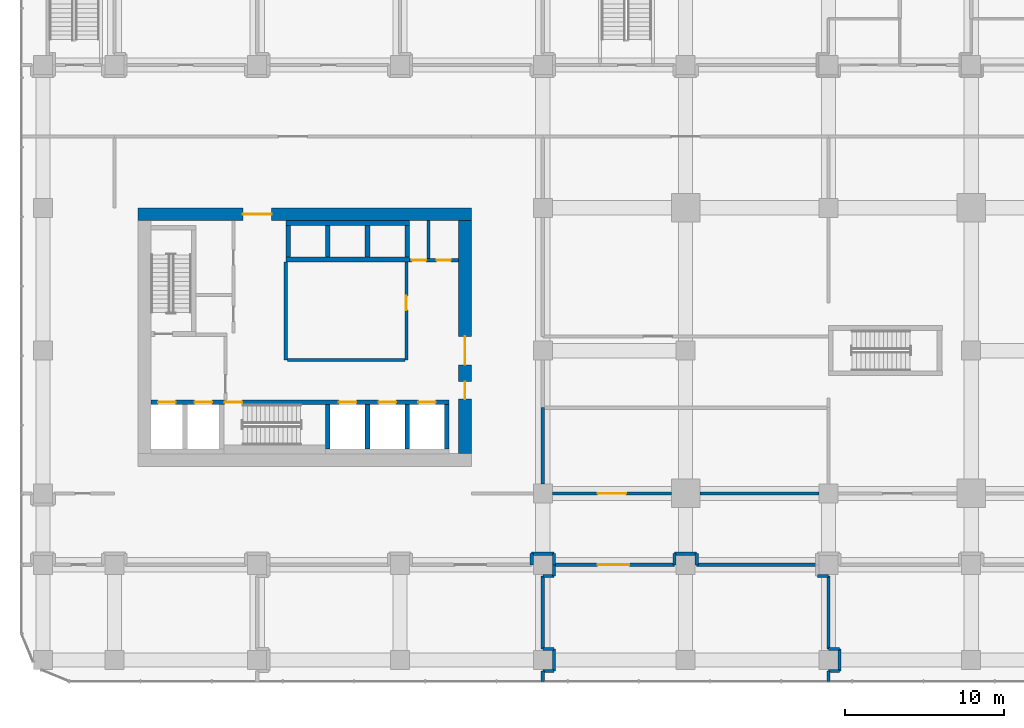
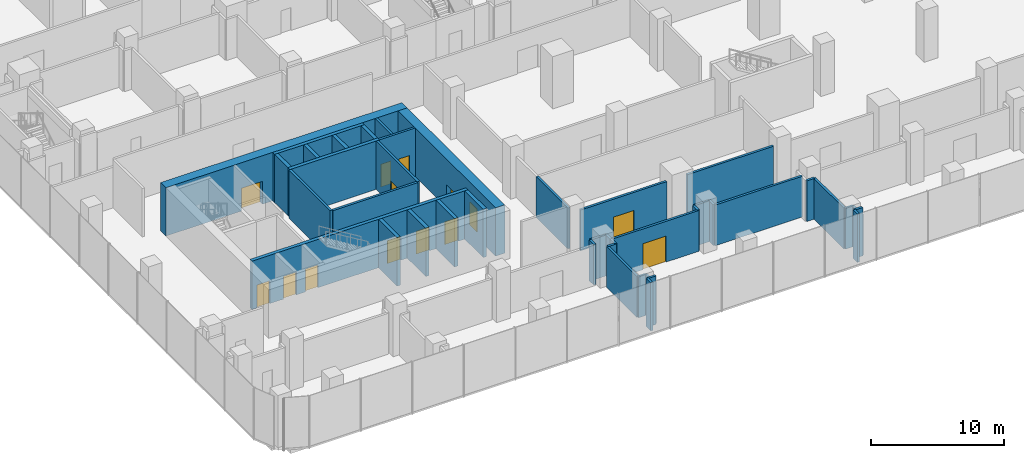
# One storey, part 29 of 42: 42 walls, 14 doors, 14 openings.
"""IFC4 building model written with IfcOpenShell, lengths in metres."""

from ifc_helpers import new_model, si_unit, direction, frame, frame_2d, origin, place, context, subcontext, project, spatial, rectangle, extrude, material, layer, layer_set, type_object, element, fill, save


model = new_model("IFC4")

# Units and contexts
model_context = context("Model", 3, precision=1e-05, world=origin(), true_north=direction((0.0, 1.0)))
body_context = subcontext(model_context, "Body", "Model", "MODEL_VIEW")
ifc_project = project(units=[si_unit("LENGTHUNIT", "METRE"), si_unit("AREAUNIT", "SQUARE_METRE"), si_unit("VOLUMEUNIT", "CUBIC_METRE"), si_unit("PLANEANGLEUNIT", "RADIAN"), si_unit("MASSUNIT", "GRAM", prefix="KILO")], contexts=[model_context])

# Site, building, storey
site_placement = place(None, origin())
site = spatial("IfcSite", under=ifc_project, at=site_placement, CompositionType="ELEMENT")
building_placement = place(site_placement, origin())
building = spatial("IfcBuilding", under=site, at=building_placement, Name="Plateau Cross Towers", CompositionType="ELEMENT")
storey_placement = place(building_placement, frame((0.0, 0.0, 8.0)))
storey = spatial("IfcBuildingStorey", under=building, at=storey_placement, Name="L01", CompositionType="ELEMENT", Elevation=8.0)

# Walls
ifc_material_1 = material(Name="Concrete block, plastered both sides", Category="concrete")
ifc_layer_1 = layer(ifc_material_1, 0.199951171875)
ifc_layer_set_1 = layer_set([ifc_layer_1], Name="Concrete block, plastered both sides")
wall_type_1 = type_object("IfcWallType", Name="Core partition 200", PredefinedType="PARTITIONING", material=ifc_layer_set_1)
wall_1_placement = place(storey_placement, frame((10.800048828125, 8.39990234375, 0.0), z_axis=(0.0, 0.0, 1.0), x_axis=(0.0, 1.0, 0.0)))
element("IfcWall", 1, at=wall_1_placement, inside=storey, type_object=wall_type_1, Name="Core partition", PredefinedType="PARTITIONING", context=body_context, shape_type="SweptSolid", body=[
    extrude(rectangle(XDim=6.2001953125, YDim=0.199951171875, at=frame_2d((3.10009765625, 0.0))), origin(), (0.0, 0.0, 1.0), 4.449951171875),
])
wall_2_placement = place(storey_placement, frame((10.89990234375, 8.39990234375, 0.0), z_axis=(0.0, 0.0, 1.0), x_axis=(1.0, 0.0, 0.0)))
element("IfcWall", 2, at=wall_2_placement, inside=storey, type_object=wall_type_1, Name="Core partition", PredefinedType="PARTITIONING", context=body_context, shape_type="SweptSolid", body=[
    extrude(rectangle(XDim=7.400146484375, YDim=0.199951171875, at=frame_2d((3.7001953125, 0.0))), origin(), (0.0, 0.0, 1.0), 4.449951171875),
])

# Wall, opening, door
wall_3_placement = place(storey_placement, frame((18.39990234375, 8.39990234375, 0.0), z_axis=(0.0, 0.0, 1.0), x_axis=(0.0, 1.0, 0.0)))
wall_3 = element("IfcWall", 3, at=wall_3_placement, inside=storey, type_object=wall_type_1, Name="Core partition", PredefinedType="PARTITIONING", context=body_context, shape_type="SweptSolid", body=[
    extrude(rectangle(XDim=6.2001953125, YDim=0.199951171875, at=frame_2d((3.10009765625, 0.0))), origin(), (0.0, 0.0, 1.0), 4.449951171875),
])
opening_1_placement = place(wall_3_placement, frame((3.14990234375, 0.0, 0.0)))
opening_1 = element("IfcOpeningElement", 4, at=opening_1_placement, cuts=wall_3, Name="Opening RD1", PredefinedType="OPENING", context=body_context, shape_type="SweptSolid", body=[
    extrude(rectangle(XDim=0.89990234375, YDim=2.10009765625, at=frame_2d((0.449951171875, 1.050048828125))), frame((0.0, 0.10986328125, 0.0), z_axis=(0.0, -1.0, 0.0), x_axis=(1.0, 0.0, 0.0)), (0.0, 0.0, 1.0), 0.219970703125),
])
ifc_material_2 = material(Name="Timber, fire-resisting leaf", Category="wood")
door_type_1 = type_object("IfcDoorType", Name="Core service door 900", OperationType="NOTDEFINED", PredefinedType="DOOR", material=ifc_material_2)
door_1_placement = place(opening_1_placement, origin())
door_1 = element("IfcDoor", 5, at=door_1_placement, inside=storey, type_object=door_type_1, Name="Core service door RD1", OperationType="SINGLE_SWING_LEFT", OverallHeight=2.10009765625, OverallWidth=0.89990234375, PredefinedType="DOOR", context=body_context, shape_type="SweptSolid", body=[
    extrude(rectangle(XDim=0.89990234375, YDim=2.10009765625, at=frame_2d((0.449951171875, 1.050048828125))), frame((0.0, 0.02490234375, 0.0), z_axis=(0.0, -1.0, 0.0), x_axis=(1.0, 0.0, 0.0)), (0.0, 0.0, 1.0), 0.050048828125),
])
fill(opening_1, door_1)

# Wall, openings, doors
wall_4_placement = place(storey_placement, frame((18.60009765625, 14.699951171875, 0.0), z_axis=(0.0, 0.0, 1.0), x_axis=(1.0, 0.0, 0.0)))
wall_4 = element("IfcWall", 6, at=wall_4_placement, inside=storey, type_object=wall_type_1, Name="Core partition", PredefinedType="PARTITIONING", context=body_context, shape_type="SweptSolid", body=[
    extrude(rectangle(XDim=3.099853515625, YDim=0.199951171875, at=frame_2d((1.5498046875, 0.0))), origin(), (0.0, 0.0, 1.0), 4.449951171875),
])
opening_2_placement = place(wall_4_placement, frame((0.14990234375, 0.0, 0.0)))
opening_2 = element("IfcOpeningElement", 7, at=opening_2_placement, cuts=wall_4, Name="Opening RD2", PredefinedType="OPENING", context=body_context, shape_type="SweptSolid", body=[
    extrude(rectangle(XDim=0.89990234375, YDim=2.10009765625, at=frame_2d((0.449951171875, 1.050048828125))), frame((0.0, 0.10986328125, 0.0), z_axis=(0.0, -1.0, 0.0), x_axis=(1.0, 0.0, 0.0)), (0.0, 0.0, 1.0), 0.219970703125),
])
opening_3_placement = place(wall_4_placement, frame((1.699951171875, 0.0, 0.0)))
opening_3 = element("IfcOpeningElement", 8, at=opening_3_placement, cuts=wall_4, Name="Opening RD2", PredefinedType="OPENING", context=body_context, shape_type="SweptSolid", body=[
    extrude(rectangle(XDim=0.89990234375, YDim=2.10009765625, at=frame_2d((0.449951171875, 1.050048828125))), frame((0.0, 0.10986328125, 0.0), z_axis=(0.0, -1.0, 0.0), x_axis=(1.0, 0.0, 0.0)), (0.0, 0.0, 1.0), 0.219970703125),
])
ifc_material_3 = material(Name="Steel, fire-resisting leaf", Category="steel")
door_type_2 = type_object("IfcDoorType", Name="Core riser door 900", OperationType="NOTDEFINED", PredefinedType="DOOR", material=ifc_material_3)
door_2_placement = place(opening_2_placement, origin())
door_2 = element("IfcDoor", 9, at=door_2_placement, inside=storey, type_object=door_type_2, Name="Core riser door RD2", OperationType="SINGLE_SWING_LEFT", OverallHeight=2.10009765625, OverallWidth=0.89990234375, PredefinedType="DOOR", context=body_context, shape_type="SweptSolid", body=[
    extrude(rectangle(XDim=0.89990234375, YDim=2.10009765625, at=frame_2d((0.449951171875, 1.050048828125))), frame((0.0, 0.02490234375, 0.0), z_axis=(0.0, -1.0, 0.0), x_axis=(1.0, 0.0, 0.0)), (0.0, 0.0, 1.0), 0.050048828125),
])
fill(opening_2, door_2)
door_3_placement = place(opening_3_placement, origin())
door_3 = element("IfcDoor", 10, at=door_3_placement, inside=storey, type_object=door_type_2, Name="Core riser door RD2", OperationType="SINGLE_SWING_LEFT", OverallHeight=2.10009765625, OverallWidth=0.89990234375, PredefinedType="DOOR", context=body_context, shape_type="SweptSolid", body=[
    extrude(rectangle(XDim=0.89990234375, YDim=2.10009765625, at=frame_2d((0.449951171875, 1.050048828125))), frame((0.0, 0.02490234375, 0.0), z_axis=(0.0, -1.0, 0.0), x_axis=(1.0, 0.0, 0.0)), (0.0, 0.0, 1.0), 0.050048828125),
])
fill(opening_3, door_3)

# Walls
wall_5_placement = place(storey_placement, frame((19.800048828125, 14.800048828125, 0.0), z_axis=(0.0, 0.0, 1.0), x_axis=(0.0, 1.0, 0.0)))
element("IfcWall", 11, at=wall_5_placement, inside=storey, type_object=wall_type_1, Name="Core partition", PredefinedType="PARTITIONING", context=body_context, shape_type="SweptSolid", body=[
    extrude(rectangle(XDim=2.39990234375, YDim=0.199951171875, at=frame_2d((1.199951171875, 0.0))), origin(), (0.0, 0.0, 1.0), 4.449951171875),
])
ifc_material_4 = material(Name="Concrete C60/75", Category="concrete")
ifc_layer_2 = layer(ifc_material_4, 0.300048828125)
ifc_layer_set_2 = layer_set([ifc_layer_2], Name="Concrete C60/75")
wall_type_2 = type_object("IfcWallType", Name="Core shaft wall 300", PredefinedType="SHEAR", material=ifc_layer_set_2)
for number, where, z_axis, x_axis, name in (
    (12, (13.449951171875, 2.800048828125, 0.0), (0.0, 0.0, 1.0), (0.0, 1.0, 0.0), "A-sb-v3@L01"),
    (13, (15.949951171875, 2.800048828125, 0.0), (0.0, 0.0, 1.0), (0.0, 1.0, 0.0), "A-sb-v4@L01"),
    (14, (18.449951171875, 2.800048828125, 0.0), (0.0, 0.0, 1.0), (0.0, 1.0, 0.0), "A-sb-v5@L01"),
    (15, (20.949951171875, 2.800048828125, 0.0), (0.0, 0.0, 1.0), (0.0, 1.0, 0.0), "A-sb-v6@L01"),
):
    element("IfcWall", number, at=place(storey_placement, frame(where, z_axis=z_axis, x_axis=x_axis)), inside=storey, type_object=wall_type_2, Name=name, PredefinedType="SHEAR", context=body_context, shape_type="SweptSolid", body=[
        extrude(rectangle(XDim=2.800048828125, YDim=0.300048828125, at=frame_2d((1.39990234375, 0.0))), origin(), (0.0, 0.0, 1.0), 4.449951171875),
    ])

# Wall, openings, doors
wall_6_placement = place(storey_placement, frame((2.300048828125, 5.75, 0.0), z_axis=(0.0, 0.0, 1.0), x_axis=(1.0, 0.0, 0.0)))
wall_6 = element("IfcWall", 16, at=wall_6_placement, inside=storey, type_object=wall_type_2, Name="A-sb-front@L01", PredefinedType="SHEAR", context=body_context, shape_type="SweptSolid", body=[
    extrude(rectangle(XDim=18.800048828125, YDim=0.300048828125, at=frame_2d((9.39990234375, 0.0))), origin(), (0.0, 0.0, 1.0), 4.449951171875),
])
opening_4_placement = place(wall_6_placement, frame((4.64990234375, 0.0, 0.0)))
opening_4 = element("IfcOpeningElement", 17, at=opening_4_placement, cuts=wall_6, Name="Opening SD", PredefinedType="OPENING", context=body_context, shape_type="SweptSolid", body=[
    extrude(rectangle(XDim=1.10009765625, YDim=2.10009765625, at=frame_2d((0.550048828125, 1.050048828125))), frame((0.0, 0.159912109375, 0.0), z_axis=(0.0, -1.0, 0.0), x_axis=(1.0, 0.0, 0.0)), (0.0, 0.0, 1.0), 0.320068359375),
])
opening_5_placement = place(wall_6_placement, frame((0.449951171875, 0.0, 0.0)))
opening_5 = element("IfcOpeningElement", 18, at=opening_5_placement, cuts=wall_6, Name="Opening LD", PredefinedType="OPENING", context=body_context, shape_type="SweptSolid", body=[
    extrude(rectangle(XDim=1.10009765625, YDim=2.10009765625, at=frame_2d((0.550048828125, 1.050048828125))), frame((0.0, 0.159912109375, 0.0), z_axis=(0.0, -1.0, 0.0), x_axis=(1.0, 0.0, 0.0)), (0.0, 0.0, 1.0), 0.320068359375),
])
opening_6_placement = place(wall_6_placement, frame((2.75, 0.0, 0.0)))
opening_6 = element("IfcOpeningElement", 19, at=opening_6_placement, cuts=wall_6, Name="Opening LD", PredefinedType="OPENING", context=body_context, shape_type="SweptSolid", body=[
    extrude(rectangle(XDim=1.10009765625, YDim=2.10009765625, at=frame_2d((0.550048828125, 1.050048828125))), frame((0.0, 0.159912109375, 0.0), z_axis=(0.0, -1.0, 0.0), x_axis=(1.0, 0.0, 0.0)), (0.0, 0.0, 1.0), 0.320068359375),
])
opening_7_placement = place(wall_6_placement, frame((11.85009765625, 0.0, 0.0)))
opening_7 = element("IfcOpeningElement", 20, at=opening_7_placement, cuts=wall_6, Name="Opening LD", PredefinedType="OPENING", context=body_context, shape_type="SweptSolid", body=[
    extrude(rectangle(XDim=1.10009765625, YDim=2.10009765625, at=frame_2d((0.550048828125, 1.050048828125))), frame((0.0, 0.159912109375, 0.0), z_axis=(0.0, -1.0, 0.0), x_axis=(1.0, 0.0, 0.0)), (0.0, 0.0, 1.0), 0.320068359375),
])
opening_8_placement = place(wall_6_placement, frame((14.35009765625, 0.0, 0.0)))
opening_8 = element("IfcOpeningElement", 21, at=opening_8_placement, cuts=wall_6, Name="Opening LD", PredefinedType="OPENING", context=body_context, shape_type="SweptSolid", body=[
    extrude(rectangle(XDim=1.10009765625, YDim=2.10009765625, at=frame_2d((0.550048828125, 1.050048828125))), frame((0.0, 0.159912109375, 0.0), z_axis=(0.0, -1.0, 0.0), x_axis=(1.0, 0.0, 0.0)), (0.0, 0.0, 1.0), 0.320068359375),
])
opening_9_placement = place(wall_6_placement, frame((16.85009765625, 0.0, 0.0)))
opening_9 = element("IfcOpeningElement", 22, at=opening_9_placement, cuts=wall_6, Name="Opening LD", PredefinedType="OPENING", context=body_context, shape_type="SweptSolid", body=[
    extrude(rectangle(XDim=1.10009765625, YDim=2.10009765625, at=frame_2d((0.550048828125, 1.050048828125))), frame((0.0, 0.159912109375, 0.0), z_axis=(0.0, -1.0, 0.0), x_axis=(1.0, 0.0, 0.0)), (0.0, 0.0, 1.0), 0.320068359375),
])
ifc_material_5 = material(Name="Stainless steel, fire-resisting sliding leaves", Category="steel")
door_type_3 = type_object("IfcDoorType", Name="Lift landing door 1100", OperationType="NOTDEFINED", PredefinedType="DOOR", material=ifc_material_5)
door_4_placement = place(opening_5_placement, origin())
door_4 = element("IfcDoor", 23, at=door_4_placement, inside=storey, type_object=door_type_3, Name="Lift landing door LD", OperationType="DOUBLE_DOOR_SLIDING", OverallHeight=2.10009765625, OverallWidth=1.10009765625, PredefinedType="DOOR", context=body_context, shape_type="SweptSolid", body=[
    extrude(rectangle(XDim=1.10009765625, YDim=2.10009765625, at=frame_2d((0.550048828125, 1.050048828125))), frame((0.0, 0.02490234375, 0.0), z_axis=(0.0, -1.0, 0.0), x_axis=(1.0, 0.0, 0.0)), (0.0, 0.0, 1.0), 0.050048828125),
])
fill(opening_5, door_4)
door_5_placement = place(opening_6_placement, origin())
door_5 = element("IfcDoor", 24, at=door_5_placement, inside=storey, type_object=door_type_3, Name="Lift landing door LD", OperationType="DOUBLE_DOOR_SLIDING", OverallHeight=2.10009765625, OverallWidth=1.10009765625, PredefinedType="DOOR", context=body_context, shape_type="SweptSolid", body=[
    extrude(rectangle(XDim=1.10009765625, YDim=2.10009765625, at=frame_2d((0.550048828125, 1.050048828125))), frame((0.0, 0.02490234375, 0.0), z_axis=(0.0, -1.0, 0.0), x_axis=(1.0, 0.0, 0.0)), (0.0, 0.0, 1.0), 0.050048828125),
])
fill(opening_6, door_5)
door_6_placement = place(opening_7_placement, origin())
door_6 = element("IfcDoor", 25, at=door_6_placement, inside=storey, type_object=door_type_3, Name="Lift landing door LD", OperationType="DOUBLE_DOOR_SLIDING", OverallHeight=2.10009765625, OverallWidth=1.10009765625, PredefinedType="DOOR", context=body_context, shape_type="SweptSolid", body=[
    extrude(rectangle(XDim=1.10009765625, YDim=2.10009765625, at=frame_2d((0.550048828125, 1.050048828125))), frame((0.0, 0.02490234375, 0.0), z_axis=(0.0, -1.0, 0.0), x_axis=(1.0, 0.0, 0.0)), (0.0, 0.0, 1.0), 0.050048828125),
])
fill(opening_7, door_6)
door_7_placement = place(opening_8_placement, origin())
door_7 = element("IfcDoor", 26, at=door_7_placement, inside=storey, type_object=door_type_3, Name="Lift landing door LD", OperationType="DOUBLE_DOOR_SLIDING", OverallHeight=2.10009765625, OverallWidth=1.10009765625, PredefinedType="DOOR", context=body_context, shape_type="SweptSolid", body=[
    extrude(rectangle(XDim=1.10009765625, YDim=2.10009765625, at=frame_2d((0.550048828125, 1.050048828125))), frame((0.0, 0.02490234375, 0.0), z_axis=(0.0, -1.0, 0.0), x_axis=(1.0, 0.0, 0.0)), (0.0, 0.0, 1.0), 0.050048828125),
])
fill(opening_8, door_7)
door_8_placement = place(opening_9_placement, origin())
door_8 = element("IfcDoor", 27, at=door_8_placement, inside=storey, type_object=door_type_3, Name="Lift landing door LD", OperationType="DOUBLE_DOOR_SLIDING", OverallHeight=2.10009765625, OverallWidth=1.10009765625, PredefinedType="DOOR", context=body_context, shape_type="SweptSolid", body=[
    extrude(rectangle(XDim=1.10009765625, YDim=2.10009765625, at=frame_2d((0.550048828125, 1.050048828125))), frame((0.0, 0.02490234375, 0.0), z_axis=(0.0, -1.0, 0.0), x_axis=(1.0, 0.0, 0.0)), (0.0, 0.0, 1.0), 0.050048828125),
])
fill(opening_9, door_8)
door_type_4 = type_object("IfcDoorType", Name="Stair door 1100", OperationType="NOTDEFINED", PredefinedType="DOOR", material=ifc_material_3)
door_9_placement = place(opening_4_placement, origin())
door_9 = element("IfcDoor", 28, at=door_9_placement, inside=storey, type_object=door_type_4, Name="Stair door SD", OperationType="SINGLE_SWING_LEFT", OverallHeight=2.10009765625, OverallWidth=1.10009765625, PredefinedType="DOOR", context=body_context, shape_type="SweptSolid", body=[
    extrude(rectangle(XDim=1.10009765625, YDim=2.10009765625, at=frame_2d((0.550048828125, 1.050048828125))), frame((0.0, 0.02490234375, 0.0), z_axis=(0.0, -1.0, 0.0), x_axis=(1.0, 0.0, 0.0)), (0.0, 0.0, 1.0), 0.050048828125),
])
fill(opening_4, door_9)

# Walls
for number, where, z_axis, x_axis, name in (
    (29, (10.800048828125, 17.050048828125, 0.0), (0.0, 0.0, 1.0), (1.0, 0.0, 0.0), "A-nb-back@L01"),
    (30, (10.800048828125, 14.75, 0.0), (0.0, 0.0, 1.0), (1.0, 0.0, 0.0), "A-nb-front@L01"),
):
    element("IfcWall", number, at=place(storey_placement, frame(where, z_axis=z_axis, x_axis=x_axis)), inside=storey, type_object=wall_type_2, Name=name, PredefinedType="SHEAR", context=body_context, shape_type="SweptSolid", body=[
        extrude(rectangle(XDim=7.800048828125, YDim=0.300048828125, at=frame_2d((3.89990234375, 0.0))), origin(), (0.0, 0.0, 1.0), 4.449951171875),
    ])
for number, where, z_axis, x_axis, name in (
    (31, (10.949951171875, 14.89990234375, 0.0), (0.0, 0.0, 1.0), (0.0, 1.0, 0.0), "A-nb-v1@L01"),
    (32, (13.449951171875, 14.89990234375, 0.0), (0.0, 0.0, 1.0), (0.0, 1.0, 0.0), "A-nb-v2@L01"),
    (33, (15.949951171875, 14.89990234375, 0.0), (0.0, 0.0, 1.0), (0.0, 1.0, 0.0), "A-nb-v3@L01"),
    (34, (18.449951171875, 14.89990234375, 0.0), (0.0, 0.0, 1.0), (0.0, 1.0, 0.0), "A-nb-v4@L01"),
):
    element("IfcWall", number, at=place(storey_placement, frame(where, z_axis=z_axis, x_axis=x_axis)), inside=storey, type_object=wall_type_2, Name=name, PredefinedType="SHEAR", context=body_context, shape_type="SweptSolid", body=[
        extrude(rectangle(XDim=2.0, YDim=0.300048828125, at=frame_2d((1.0, 0.0))), origin(), (0.0, 0.0, 1.0), 4.449951171875),
    ])

# Wall, opening, door
ifc_layer_3 = layer(ifc_material_4, 0.800048828125)
ifc_layer_set_3 = layer_set([ifc_layer_3], Name="Concrete C60/75")
wall_type_3 = type_object("IfcWallType", Name="Core shell wall 800", PredefinedType="SHEAR", material=ifc_layer_set_3)
wall_7_placement = place(storey_placement, frame((1.5, 17.60009765625, 0.0), z_axis=(0.0, 0.0, 1.0), x_axis=(1.0, 0.0, 0.0)))
wall_7 = element("IfcWall", 35, at=wall_7_placement, inside=storey, type_object=wall_type_3, Name="A-core-N@L01", PredefinedType="SHEAR", context=body_context, shape_type="SweptSolid", body=[
    extrude(rectangle(XDim=21.0, YDim=0.800048828125, at=frame_2d((10.5, 0.0))), origin(), (0.0, 0.0, 1.0), 4.449951171875),
])
opening_10_placement = place(wall_7_placement, frame((6.60009765625, 0.0, 0.0)))
opening_10 = element("IfcOpeningElement", 36, at=opening_10_placement, cuts=wall_7, Name="Opening CD", PredefinedType="OPENING", context=body_context, shape_type="SweptSolid", body=[
    extrude(rectangle(XDim=1.800048828125, YDim=2.10009765625, at=frame_2d((0.89990234375, 1.050048828125))), frame((0.0, 0.409912109375, 0.0), z_axis=(0.0, -1.0, 0.0), x_axis=(1.0, 0.0, 0.0)), (0.0, 0.0, 1.0), 0.820068359375),
])
ifc_material_6 = material(Name="Steel, fire-resisting leaves", Category="steel")
door_type_5 = type_object("IfcDoorType", Name="Corridor door pair 1800", OperationType="NOTDEFINED", PredefinedType="DOOR", material=ifc_material_6)
door_10_placement = place(opening_10_placement, origin())
door_10 = element("IfcDoor", 37, at=door_10_placement, inside=storey, type_object=door_type_5, Name="Corridor door pair CD", OperationType="DOUBLE_DOOR_SINGLE_SWING", OverallHeight=2.10009765625, OverallWidth=1.800048828125, PredefinedType="DOOR", context=body_context, shape_type="SweptSolid", body=[
    extrude(rectangle(XDim=1.800048828125, YDim=2.10009765625, at=frame_2d((0.89990234375, 1.050048828125))), frame((0.0, 0.02490234375, 0.0), z_axis=(0.0, -1.0, 0.0), x_axis=(1.0, 0.0, 0.0)), (0.0, 0.0, 1.0), 0.050048828125),
])
fill(opening_10, door_10)

# Wall, openings, doors
wall_8_placement = place(storey_placement, frame((22.10009765625, 2.5, 0.0), z_axis=(0.0, 0.0, 1.0), x_axis=(0.0, 1.0, 0.0)))
wall_8 = element("IfcWall", 38, at=wall_8_placement, inside=storey, type_object=wall_type_3, Name="A-core-E@L01", PredefinedType="SHEAR", context=body_context, shape_type="SweptSolid", body=[
    extrude(rectangle(XDim=14.699951171875, YDim=0.800048828125, at=frame_2d((7.35009765625, 0.0))), origin(), (0.0, 0.0, 1.0), 4.449951171875),
])
opening_11_placement = place(wall_8_placement, frame((5.60009765625, 0.0, 0.0)))
opening_11 = element("IfcOpeningElement", 39, at=opening_11_placement, cuts=wall_8, Name="Opening CD", PredefinedType="OPENING", context=body_context, shape_type="SweptSolid", body=[
    extrude(rectangle(XDim=1.800048828125, YDim=2.10009765625, at=frame_2d((0.89990234375, 1.050048828125))), frame((0.0, 0.409912109375, 0.0), z_axis=(0.0, -1.0, 0.0), x_axis=(1.0, 0.0, 0.0)), (0.0, 0.0, 1.0), 0.820068359375),
])
opening_12_placement = place(wall_8_placement, frame((3.449951171875, 0.0, 0.0)))
opening_12 = element("IfcOpeningElement", 40, at=opening_12_placement, cuts=wall_8, Name="Opening CD1", PredefinedType="OPENING", context=body_context, shape_type="SweptSolid", body=[
    extrude(rectangle(XDim=1.10009765625, YDim=2.10009765625, at=frame_2d((0.550048828125, 1.050048828125))), frame((0.0, 0.409912109375, 0.0), z_axis=(0.0, -1.0, 0.0), x_axis=(1.0, 0.0, 0.0)), (0.0, 0.0, 1.0), 0.820068359375),
])
door_type_6 = type_object("IfcDoorType", Name="Corridor door 1100", OperationType="NOTDEFINED", PredefinedType="DOOR", material=ifc_material_3)
door_11_placement = place(opening_12_placement, origin())
door_11 = element("IfcDoor", 41, at=door_11_placement, inside=storey, type_object=door_type_6, Name="Corridor door CD1", OperationType="SINGLE_SWING_RIGHT", OverallHeight=2.10009765625, OverallWidth=1.10009765625, PredefinedType="DOOR", context=body_context, shape_type="SweptSolid", body=[
    extrude(rectangle(XDim=1.10009765625, YDim=2.10009765625, at=frame_2d((0.550048828125, 1.050048828125))), frame((0.0, 0.02490234375, 0.0), z_axis=(0.0, -1.0, 0.0), x_axis=(1.0, 0.0, 0.0)), (0.0, 0.0, 1.0), 0.050048828125),
])
fill(opening_12, door_11)
door_12_placement = place(opening_11_placement, origin())
door_12 = element("IfcDoor", 42, at=door_12_placement, inside=storey, type_object=door_type_5, Name="Corridor door pair CD", OperationType="DOUBLE_DOOR_SINGLE_SWING", OverallHeight=2.10009765625, OverallWidth=1.800048828125, PredefinedType="DOOR", context=body_context, shape_type="SweptSolid", body=[
    extrude(rectangle(XDim=1.800048828125, YDim=2.10009765625, at=frame_2d((0.89990234375, 1.050048828125))), frame((0.0, 0.02490234375, 0.0), z_axis=(0.0, -1.0, 0.0), x_axis=(1.0, 0.0, 0.0)), (0.0, 0.0, 1.0), 0.050048828125),
])
fill(opening_11, door_12)

# Walls
ifc_material_7 = material(Name="Gypsum board on steel studs", Category="steel")
ifc_layer_4 = layer(ifc_material_7, 0.199951171875)
ifc_layer_set_4 = layer_set([ifc_layer_4], Name="Gypsum board on steel studs")
wall_type_4 = type_object("IfcWallType", Name="Podium partition 200", PredefinedType="PARTITIONING", material=ifc_layer_set_4)
wall_9_placement = place(storey_placement, frame((27.699951171875, -4.5, 0.0), z_axis=(0.0, 0.0, 1.0), x_axis=(0.0, 1.0, 0.0)))
element("IfcWall", 43, at=wall_9_placement, inside=storey, type_object=wall_type_4, Name="Partition wall", PredefinedType="PARTITIONING", context=body_context, shape_type="SweptSolid", body=[
    extrude(rectangle(XDim=0.699951171875, YDim=0.199951171875, at=frame_2d((0.35009765625, 0.0))), origin(), (0.0, 0.0, 1.0), 3.75),
])
wall_10_placement = place(storey_placement, frame((27.699951171875, -3.800048828125, 0.0), z_axis=(0.0, 0.0, 1.0), x_axis=(-1.0, 0.0, 0.0)))
element("IfcWall", 44, at=wall_10_placement, inside=storey, type_object=wall_type_4, Name="Partition wall", PredefinedType="PARTITIONING", context=body_context, shape_type="SweptSolid", body=[
    extrude(rectangle(XDim=1.39990234375, YDim=0.199951171875, at=frame_2d((0.699951171875, 0.0))), origin(), (0.0, 0.0, 1.0), 3.75),
])
wall_11_placement = place(storey_placement, frame((26.300048828125, -3.800048828125, 0.0), z_axis=(0.0, 0.0, 1.0), x_axis=(0.0, -1.0, 0.0)))
element("IfcWall", 45, at=wall_11_placement, inside=storey, type_object=wall_type_4, Name="Partition wall", PredefinedType="PARTITIONING", context=body_context, shape_type="SweptSolid", body=[
    extrude(rectangle(XDim=0.699951171875, YDim=0.199951171875, at=frame_2d((0.35009765625, 0.0))), origin(), (0.0, 0.0, 1.0), 3.75),
])

# Wall, opening, door
wall_12_placement = place(storey_placement, frame((27.60009765625, 0.0, 0.0), z_axis=(0.0, 0.0, 1.0), x_axis=(1.0, 0.0, 0.0)))
wall_12 = element("IfcWall", 46, at=wall_12_placement, inside=storey, type_object=wall_type_4, Name="Partition wall", PredefinedType="PARTITIONING", context=body_context, shape_type="SweptSolid", body=[
    extrude(rectangle(XDim=7.5, YDim=0.199951171875, at=frame_2d((3.75, 0.0))), origin(), (0.0, 0.0, 1.0), 3.75),
])
opening_13_placement = place(wall_12_placement, frame((2.85009765625, 0.0, 0.0)))
opening_13 = element("IfcOpeningElement", 47, at=opening_13_placement, cuts=wall_12, Name="Opening 01-36", PredefinedType="OPENING", context=body_context, shape_type="SweptSolid", body=[
    extrude(rectangle(XDim=1.800048828125, YDim=2.10009765625, at=frame_2d((0.89990234375, 1.050048828125))), frame((0.0, 0.10986328125, 0.0), z_axis=(0.0, -1.0, 0.0), x_axis=(1.0, 0.0, 0.0)), (0.0, 0.0, 1.0), 0.219970703125),
])
ifc_material_8 = material(Name="Aluminium frame, toughened glass", Category="aluminium")
door_type_7 = type_object("IfcDoorType", Name="Podium door pair 1800", OperationType="NOTDEFINED", PredefinedType="DOOR", material=ifc_material_8)
door_13_placement = place(opening_13_placement, origin())
door_13 = element("IfcDoor", 48, at=door_13_placement, inside=storey, type_object=door_type_7, Name="Door 01-36", OperationType="DOUBLE_DOOR_SINGLE_SWING", OverallHeight=2.10009765625, OverallWidth=1.800048828125, PredefinedType="DOOR", context=body_context, shape_type="SweptSolid", body=[
    extrude(rectangle(XDim=1.800048828125, YDim=2.10009765625, at=frame_2d((0.89990234375, 1.050048828125))), frame((0.0, 0.02490234375, 0.0), z_axis=(0.0, -1.0, 0.0), x_axis=(1.0, 0.0, 0.0)), (0.0, 0.0, 1.0), 0.050048828125),
])
fill(opening_13, door_13)

# Walls
wall_13_placement = place(storey_placement, frame((36.89990234375, 0.0, 0.0), z_axis=(0.0, 0.0, 1.0), x_axis=(1.0, 0.0, 0.0)))
element("IfcWall", 49, at=wall_13_placement, inside=storey, type_object=wall_type_4, Name="Partition wall", PredefinedType="PARTITIONING", context=body_context, shape_type="SweptSolid", body=[
    extrude(rectangle(XDim=7.5, YDim=0.199951171875, at=frame_2d((3.75, 0.0))), origin(), (0.0, 0.0, 1.0), 3.75),
])
wall_14_placement = place(storey_placement, frame((44.300048828125, -4.5, 0.0), z_axis=(0.0, 0.0, 1.0), x_axis=(-1.0, 0.0, 0.0)))
element("IfcWall", 50, at=wall_14_placement, inside=storey, type_object=wall_type_4, Name="Partition wall", PredefinedType="PARTITIONING", context=body_context, shape_type="SweptSolid", body=[
    extrude(rectangle(XDim=7.60009765625, YDim=0.199951171875, at=frame_2d((3.800048828125, 0.0))), origin(), (0.0, 0.0, 1.0), 3.75),
])
wall_15_placement = place(storey_placement, frame((36.699951171875, -4.5, 0.0), z_axis=(0.0, 0.0, 1.0), x_axis=(0.0, 1.0, 0.0)))
element("IfcWall", 51, at=wall_15_placement, inside=storey, type_object=wall_type_4, Name="Partition wall", PredefinedType="PARTITIONING", context=body_context, shape_type="SweptSolid", body=[
    extrude(rectangle(XDim=0.699951171875, YDim=0.199951171875, at=frame_2d((0.35009765625, 0.0))), origin(), (0.0, 0.0, 1.0), 3.75),
])
wall_16_placement = place(storey_placement, frame((36.699951171875, -3.800048828125, 0.0), z_axis=(0.0, 0.0, 1.0), x_axis=(-1.0, 0.0, 0.0)))
element("IfcWall", 52, at=wall_16_placement, inside=storey, type_object=wall_type_4, Name="Partition wall", PredefinedType="PARTITIONING", context=body_context, shape_type="SweptSolid", body=[
    extrude(rectangle(XDim=1.39990234375, YDim=0.199951171875, at=frame_2d((0.699951171875, 0.0))), origin(), (0.0, 0.0, 1.0), 3.75),
])
wall_17_placement = place(storey_placement, frame((35.300048828125, -3.800048828125, 0.0), z_axis=(0.0, 0.0, 1.0), x_axis=(0.0, -1.0, 0.0)))
element("IfcWall", 53, at=wall_17_placement, inside=storey, type_object=wall_type_4, Name="Partition wall", PredefinedType="PARTITIONING", context=body_context, shape_type="SweptSolid", body=[
    extrude(rectangle(XDim=0.699951171875, YDim=0.199951171875, at=frame_2d((0.35009765625, 0.0))), origin(), (0.0, 0.0, 1.0), 3.75),
])

# Wall, opening, door
wall_18_placement = place(storey_placement, frame((35.300048828125, -4.5, 0.0), z_axis=(0.0, 0.0, 1.0), x_axis=(-1.0, 0.0, 0.0)))
wall_18 = element("IfcWall", 54, at=wall_18_placement, inside=storey, type_object=wall_type_4, Name="Partition wall", PredefinedType="PARTITIONING", context=body_context, shape_type="SweptSolid", body=[
    extrude(rectangle(XDim=7.60009765625, YDim=0.199951171875, at=frame_2d((3.800048828125, 0.0))), origin(), (0.0, 0.0, 1.0), 3.75),
])
opening_14_placement = place(wall_18_placement, frame((2.85009765625, 0.0, 0.0)))
opening_14 = element("IfcOpeningElement", 55, at=opening_14_placement, cuts=wall_18, Name="Opening 01-09", PredefinedType="OPENING", context=body_context, shape_type="SweptSolid", body=[
    extrude(rectangle(XDim=2.0, YDim=2.39990234375, at=frame_2d((1.0, 1.199951171875))), frame((0.0, 0.10986328125, 0.0), z_axis=(0.0, -1.0, 0.0), x_axis=(1.0, 0.0, 0.0)), (0.0, 0.0, 1.0), 0.219970703125),
])
door_type_8 = type_object("IfcDoorType", Name="Shop entrance double door 2000x2400", OperationType="NOTDEFINED", PredefinedType="DOOR", material=ifc_material_8)
door_14_placement = place(opening_14_placement, origin())
door_14 = element("IfcDoor", 56, at=door_14_placement, inside=storey, type_object=door_type_8, Name="Door 01-09", OperationType="SINGLE_SWING_LEFT", OverallHeight=2.39990234375, OverallWidth=2.0, PredefinedType="DOOR", context=body_context, shape_type="SweptSolid", body=[
    extrude(rectangle(XDim=2.0, YDim=2.39990234375, at=frame_2d((1.0, 1.199951171875))), frame((0.0, 0.02490234375, 0.0), z_axis=(0.0, -1.0, 0.0), x_axis=(1.0, 0.0, 0.0)), (0.0, 0.0, 1.0), 0.050048828125),
])
fill(opening_14, door_14)

# Walls
wall_19_placement = place(storey_placement, frame((44.300048828125, -5.199951171875, 0.0), z_axis=(0.0, 0.0, 1.0), x_axis=(1.0, 0.0, 0.0)))
element("IfcWall", 57, at=wall_19_placement, inside=storey, type_object=wall_type_4, Name="Partition wall", PredefinedType="PARTITIONING", context=body_context, shape_type="SweptSolid", body=[
    extrude(rectangle(XDim=0.699951171875, YDim=0.199951171875, at=frame_2d((0.35009765625, 0.0))), origin(), (0.0, 0.0, 1.0), 3.75),
])
wall_20_placement = place(storey_placement, frame((45.0, -5.199951171875, 0.0), z_axis=(0.0, 0.0, 1.0), x_axis=(0.0, -1.0, 0.0)))
element("IfcWall", 58, at=wall_20_placement, inside=storey, type_object=wall_type_4, Name="Partition wall", PredefinedType="PARTITIONING", context=body_context, shape_type="SweptSolid", body=[
    extrude(rectangle(XDim=4.60009765625, YDim=0.199951171875, at=frame_2d((2.300048828125, 0.0))), origin(), (0.0, 0.0, 1.0), 3.75),
])
wall_21_placement = place(storey_placement, frame((45.0, -9.800048828125, 0.0), z_axis=(0.0, 0.0, 1.0), x_axis=(1.0, 0.0, 0.0)))
element("IfcWall", 59, at=wall_21_placement, inside=storey, type_object=wall_type_4, Name="Partition wall", PredefinedType="PARTITIONING", context=body_context, shape_type="SweptSolid", body=[
    extrude(rectangle(XDim=0.699951171875, YDim=0.199951171875, at=frame_2d((0.35009765625, 0.0))), origin(), (0.0, 0.0, 1.0), 3.75),
])
wall_22_placement = place(storey_placement, frame((45.699951171875, -9.800048828125, 0.0), z_axis=(0.0, 0.0, 1.0), x_axis=(0.0, -1.0, 0.0)))
element("IfcWall", 60, at=wall_22_placement, inside=storey, type_object=wall_type_4, Name="Partition wall", PredefinedType="PARTITIONING", context=body_context, shape_type="SweptSolid", body=[
    extrude(rectangle(XDim=1.39990234375, YDim=0.199951171875, at=frame_2d((0.699951171875, 0.0))), origin(), (0.0, 0.0, 1.0), 3.75),
])
wall_23_placement = place(storey_placement, frame((45.699951171875, -11.199951171875, 0.0), z_axis=(0.0, 0.0, 1.0), x_axis=(-1.0, 0.0, 0.0)))
element("IfcWall", 61, at=wall_23_placement, inside=storey, type_object=wall_type_4, Name="Partition wall", PredefinedType="PARTITIONING", context=body_context, shape_type="SweptSolid", body=[
    extrude(rectangle(XDim=0.699951171875, YDim=0.199951171875, at=frame_2d((0.35009765625, 0.0))), origin(), (0.0, 0.0, 1.0), 4.449951171875),
])
wall_24_placement = place(storey_placement, frame((45.0, -11.199951171875, 0.0), z_axis=(0.0, 0.0, 1.0), x_axis=(0.0, -1.0, 0.0)))
element("IfcWall", 62, at=wall_24_placement, inside=storey, type_object=wall_type_4, Name="Partition wall", PredefinedType="PARTITIONING", context=body_context, shape_type="SweptSolid", body=[
    extrude(rectangle(XDim=0.650146484375, YDim=0.199951171875, at=frame_2d((0.3251953125, 0.0))), origin(), (0.0, 0.0, 1.0), 4.449951171875),
])
for number, where, z_axis, x_axis, name in (
    (63, (27.699951171875, -4.5, 0.0), (0.0, 0.0, 1.0), (0.0, -1.0, 0.0), "Partition wall"),
    (64, (27.699951171875, -5.199951171875, 0.0), (0.0, 0.0, 1.0), (-1.0, 0.0, 0.0), "Partition wall"),
):
    element("IfcWall", number, at=place(storey_placement, frame(where, z_axis=z_axis, x_axis=x_axis)), inside=storey, type_object=wall_type_4, Name=name, PredefinedType="PARTITIONING", context=body_context, shape_type="SweptSolid", body=[
        extrude(rectangle(XDim=0.699951171875, YDim=0.199951171875, at=frame_2d((0.35009765625, 0.0))), origin(), (0.0, 0.0, 1.0), 3.75),
    ])
wall_25_placement = place(storey_placement, frame((27.0, -5.199951171875, 0.0), z_axis=(0.0, 0.0, 1.0), x_axis=(0.0, -1.0, 0.0)))
element("IfcWall", 65, at=wall_25_placement, inside=storey, type_object=wall_type_4, Name="Partition wall", PredefinedType="PARTITIONING", context=body_context, shape_type="SweptSolid", body=[
    extrude(rectangle(XDim=4.60009765625, YDim=0.199951171875, at=frame_2d((2.300048828125, 0.0))), origin(), (0.0, 0.0, 1.0), 3.75),
])
wall_26_placement = place(storey_placement, frame((27.0, -9.800048828125, 0.0), z_axis=(0.0, 0.0, 1.0), x_axis=(1.0, 0.0, 0.0)))
element("IfcWall", 66, at=wall_26_placement, inside=storey, type_object=wall_type_4, Name="Partition wall", PredefinedType="PARTITIONING", context=body_context, shape_type="SweptSolid", body=[
    extrude(rectangle(XDim=0.699951171875, YDim=0.199951171875, at=frame_2d((0.35009765625, 0.0))), origin(), (0.0, 0.0, 1.0), 3.75),
])
wall_27_placement = place(storey_placement, frame((27.699951171875, -9.800048828125, 0.0), z_axis=(0.0, 0.0, 1.0), x_axis=(0.0, -1.0, 0.0)))
element("IfcWall", 67, at=wall_27_placement, inside=storey, type_object=wall_type_4, Name="Partition wall", PredefinedType="PARTITIONING", context=body_context, shape_type="SweptSolid", body=[
    extrude(rectangle(XDim=1.39990234375, YDim=0.199951171875, at=frame_2d((0.699951171875, 0.0))), origin(), (0.0, 0.0, 1.0), 3.75),
])
wall_28_placement = place(storey_placement, frame((27.699951171875, -11.199951171875, 0.0), z_axis=(0.0, 0.0, 1.0), x_axis=(-1.0, 0.0, 0.0)))
element("IfcWall", 68, at=wall_28_placement, inside=storey, type_object=wall_type_4, Name="Partition wall", PredefinedType="PARTITIONING", context=body_context, shape_type="SweptSolid", body=[
    extrude(rectangle(XDim=0.699951171875, YDim=0.199951171875, at=frame_2d((0.35009765625, 0.0))), origin(), (0.0, 0.0, 1.0), 4.449951171875),
])
wall_29_placement = place(storey_placement, frame((27.0, -11.199951171875, 0.0), z_axis=(0.0, 0.0, 1.0), x_axis=(0.0, -1.0, 0.0)))
element("IfcWall", 69, at=wall_29_placement, inside=storey, type_object=wall_type_4, Name="Partition wall", PredefinedType="PARTITIONING", context=body_context, shape_type="SweptSolid", body=[
    extrude(rectangle(XDim=0.650146484375, YDim=0.199951171875, at=frame_2d((0.3251953125, 0.0))), origin(), (0.0, 0.0, 1.0), 4.449951171875),
])
wall_30_placement = place(storey_placement, frame((27.0, 5.39990234375, 0.0), z_axis=(0.0, 0.0, 1.0), x_axis=(0.0, -1.0, 0.0)))
element("IfcWall", 70, at=wall_30_placement, inside=storey, type_object=wall_type_4, Name="Partition wall", PredefinedType="PARTITIONING", context=body_context, shape_type="SweptSolid", body=[
    extrude(rectangle(XDim=4.7998046875, YDim=0.199951171875, at=frame_2d((2.39990234375, 0.0))), origin(), (0.0, 0.0, 1.0), 3.75),
])

save(model, "model.ifc")
